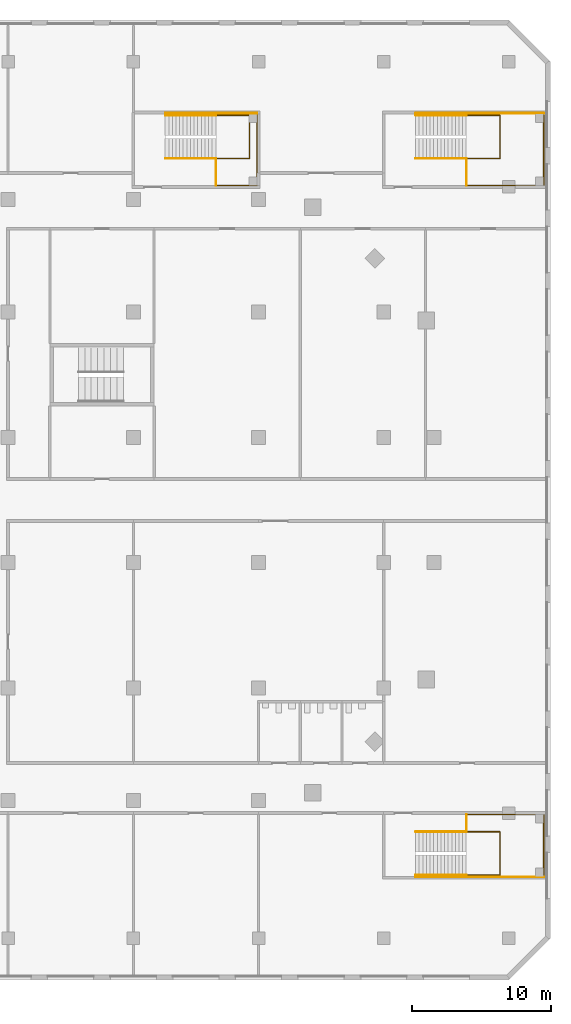
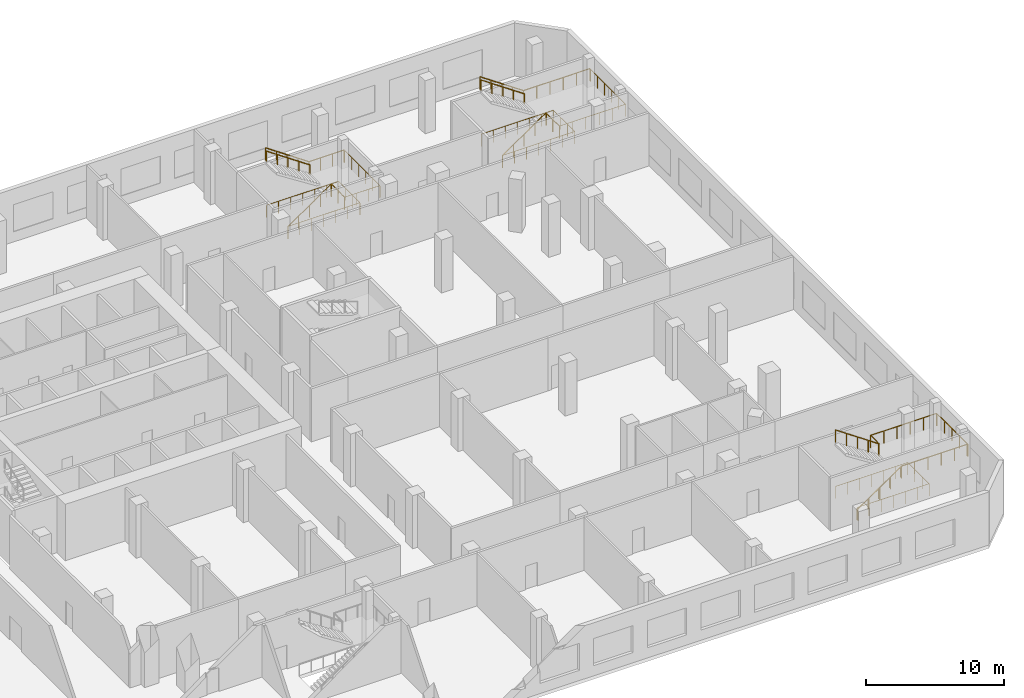
# One storey, part 20 of 21: 18 railings.
"""IFC4 building model written with IfcOpenShell, lengths in metres."""

from ifc_helpers import new_model, si_unit, direction, frame, origin, origin_2d, place, context, subcontext, project, spatial, circle, extrude, material, type_object, element, save


model = new_model("IFC4")

# Units and contexts
model_context = context("Model", 3, precision=1e-05, world=origin(), true_north=direction((0.0, 1.0)))
body_context = subcontext(model_context, "Body", "Model", "MODEL_VIEW")
ifc_project = project(units=[si_unit("LENGTHUNIT", "METRE"), si_unit("AREAUNIT", "SQUARE_METRE"), si_unit("VOLUMEUNIT", "CUBIC_METRE"), si_unit("PLANEANGLEUNIT", "RADIAN"), si_unit("MASSUNIT", "GRAM", prefix="KILO")], contexts=[model_context])

# Site, building, storey
site_placement = place(None, origin())
site = spatial("IfcSite", under=ifc_project, at=site_placement, CompositionType="ELEMENT")
building_placement = place(site_placement, origin())
building = spatial("IfcBuilding", under=site, at=building_placement, Name="Cinnabar Reach Civic Tower", CompositionType="ELEMENT")
storey_placement = place(building_placement, frame((0.0, 0.0, 16.0)))
storey = spatial("IfcBuildingStorey", under=building, at=storey_placement, Name="L03", CompositionType="ELEMENT", Elevation=16.0)

# Railings
ifc_material_1 = material(Name="Stainless steel and glass", Category="steel")
railing_type_1 = type_object("IfcRailingType", Name="Podium guard 1100", PredefinedType="GUARDRAIL", material=ifc_material_1)
railing_1_placement = place(storey_placement, frame((59.94, -1.35, 2.5)))
element("IfcRailing", 1, at=railing_1_placement, inside=storey, type_object=railing_type_1, Name="Stair guard PS4 L03", PredefinedType="GUARDRAIL", context=body_context, shape_type="SweptSolid", body=[
    extrude(circle(Radius=0.024, at=origin_2d()), frame((0.0, 0.0, 1.076), z_axis=(-0.824306135323, 0.0, 0.566144323711), x_axis=(0.0, -1.0, 0.0)), (0.0, 0.0, 1.0), 4.4158),
    extrude(circle(Radius=0.021, at=origin_2d()), origin(), (0.0, 0.0, 1.0), 1.052),
    extrude(circle(Radius=0.021, at=origin_2d()), frame((-0.91, 0.0, 0.625)), (0.0, 0.0, 1.0), 1.052),
    extrude(circle(Radius=0.021, at=origin_2d()), frame((-1.82, 0.0, 1.25)), (0.0, 0.0, 1.0), 1.052),
    extrude(circle(Radius=0.021, at=origin_2d()), frame((-2.73, 0.0, 1.875)), (0.0, 0.0, 1.0), 1.052),
    extrude(circle(Radius=0.021, at=origin_2d()), frame((-3.64, 0.0, 2.5)), (0.0, 0.0, 1.0), 1.052),
])
railing_2_placement = place(storey_placement, frame((59.94, -0.1, 2.5)))
element("IfcRailing", 2, at=railing_2_placement, inside=storey, type_object=railing_type_1, Name="Landing guard PS4 L03", PredefinedType="GUARDRAIL", context=body_context, shape_type="SweptSolid", body=[
    extrude(circle(Radius=0.024, at=origin_2d()), frame((0.0, 0.0, 1.076), z_axis=(1.0, 0.0, 0.0), x_axis=(0.0, 1.0, 0.0)), (0.0, 0.0, 1.0), 5.56),
    extrude(circle(Radius=0.024, at=origin_2d()), frame((5.56, 0.0, 1.076), z_axis=(0.0, -1.0, 0.0), x_axis=(1.0, 0.0, 0.0)), (0.0, 0.0, 1.0), 4.4),
    extrude(circle(Radius=0.021, at=origin_2d()), origin(), (0.0, 0.0, 1.0), 1.052),
    extrude(circle(Radius=0.021, at=origin_2d()), frame((1.112, 0.0, 0.0)), (0.0, 0.0, 1.0), 1.052),
    extrude(circle(Radius=0.021, at=origin_2d()), frame((2.224, 0.0, 0.0)), (0.0, 0.0, 1.0), 1.052),
    extrude(circle(Radius=0.021, at=origin_2d()), frame((3.336, 0.0, 0.0)), (0.0, 0.0, 1.0), 1.052),
    extrude(circle(Radius=0.021, at=origin_2d()), frame((4.448, 0.0, 0.0)), (0.0, 0.0, 1.0), 1.052),
    extrude(circle(Radius=0.021, at=origin_2d()), frame((5.56, 0.0, 0.0)), (0.0, 0.0, 1.0), 1.052),
    extrude(circle(Radius=0.021, at=origin_2d()), frame((5.56, -1.1, 0.0)), (0.0, 0.0, 1.0), 1.052),
    extrude(circle(Radius=0.021, at=origin_2d()), frame((5.56, -2.2, 0.0)), (0.0, 0.0, 1.0), 1.052),
    extrude(circle(Radius=0.021, at=origin_2d()), frame((5.56, -3.3, 0.0)), (0.0, 0.0, 1.0), 1.052),
    extrude(circle(Radius=0.021, at=origin_2d()), frame((5.56, -4.4, 0.0)), (0.0, 0.0, 1.0), 1.052),
])
railing_3_placement = place(storey_placement, frame((59.94, -1.3, 2.5)))
element("IfcRailing", 3, at=railing_3_placement, inside=storey, type_object=railing_type_1, Name="Landing guard PS4 L03 inner", PredefinedType="GUARDRAIL", context=body_context, shape_type="SweptSolid", body=[
    extrude(circle(Radius=0.024, at=origin_2d()), frame((0.0, 0.0, 1.076), z_axis=(0.0, 1.0, 0.0), x_axis=(-1.0, 0.0, 0.0)), (0.0, 0.0, 1.0), 1.2),
    extrude(circle(Radius=0.021, at=origin_2d()), origin(), (0.0, 0.0, 1.0), 1.052),
    extrude(circle(Radius=0.021, at=origin_2d()), frame((0.0, 1.2, 0.0)), (0.0, 0.0, 1.0), 1.052),
])
railing_4_placement = place(storey_placement, frame((56.3, -4.6, 0.0)))
element("IfcRailing", 4, at=railing_4_placement, inside=storey, type_object=railing_type_1, Name="Stair wall side guard PS4 L03", PredefinedType="GUARDRAIL", context=body_context, shape_type="SweptSolid", body=[
    extrude(circle(Radius=0.024, at=origin_2d()), frame((0.0, 0.0, 1.076), z_axis=(0.824306135323, 0.0, 0.566144323711), x_axis=(0.0, 1.0, 0.0)), (0.0, 0.0, 1.0), 4.4158),
    extrude(circle(Radius=0.024, at=origin_2d()), frame((3.64, 0.0, 3.576), z_axis=(1.0, 0.0, 0.0), x_axis=(0.0, 1.0, 0.0)), (0.0, 0.0, 1.0), 5.56),
    extrude(circle(Radius=0.021, at=origin_2d()), origin(), (0.0, 0.0, 1.0), 1.052),
    extrude(circle(Radius=0.021, at=origin_2d()), frame((0.91, 0.0, 0.625)), (0.0, 0.0, 1.0), 1.052),
    extrude(circle(Radius=0.021, at=origin_2d()), frame((1.82, 0.0, 1.25)), (0.0, 0.0, 1.0), 1.052),
    extrude(circle(Radius=0.021, at=origin_2d()), frame((2.73, 0.0, 1.875)), (0.0, 0.0, 1.0), 1.052),
    extrude(circle(Radius=0.021, at=origin_2d()), frame((3.64, 0.0, 2.5)), (0.0, 0.0, 1.0), 1.052),
    extrude(circle(Radius=0.021, at=origin_2d()), frame((4.752, 0.0, 2.5)), (0.0, 0.0, 1.0), 1.052),
    extrude(circle(Radius=0.021, at=origin_2d()), frame((5.864, 0.0, 2.5)), (0.0, 0.0, 1.0), 1.052),
    extrude(circle(Radius=0.021, at=origin_2d()), frame((6.976, 0.0, 2.5)), (0.0, 0.0, 1.0), 1.052),
    extrude(circle(Radius=0.021, at=origin_2d()), frame((8.088, 0.0, 2.5)), (0.0, 0.0, 1.0), 1.052),
    extrude(circle(Radius=0.021, at=origin_2d()), frame((9.2, 0.0, 2.5)), (0.0, 0.0, 1.0), 1.052),
])
railing_5_placement = place(storey_placement, frame((56.3, -4.45, 0.0)))
element("IfcRailing", 5, at=railing_5_placement, inside=storey, type_object=railing_type_1, Name="Stair well guard PS4 L03", PredefinedType="GUARDRAIL", context=body_context, shape_type="SweptSolid", body=[
    extrude(circle(Radius=0.024, at=origin_2d()), frame((0.0, 0.0, 1.076), z_axis=(1.0, 0.0, 0.0), x_axis=(0.0, 1.0, 0.0)), (0.0, 0.0, 1.0), 6.05),
    extrude(circle(Radius=0.024, at=origin_2d()), frame((6.05, 0.0, 1.076), z_axis=(0.0, 1.0, 0.0), x_axis=(-1.0, 0.0, 0.0)), (0.0, 0.0, 1.0), 3.1),
    extrude(circle(Radius=0.024, at=origin_2d()), frame((6.05, 3.1, 1.076), z_axis=(-1.0, 0.0, 0.0), x_axis=(0.0, -1.0, 0.0)), (0.0, 0.0, 1.0), 6.05),
    extrude(circle(Radius=0.021, at=origin_2d()), origin(), (0.0, 0.0, 1.0), 1.052),
    extrude(circle(Radius=0.021, at=origin_2d()), frame((1.0083, 0.0, 0.0)), (0.0, 0.0, 1.0), 1.052),
    extrude(circle(Radius=0.021, at=origin_2d()), frame((2.0167, 0.0, 0.0)), (0.0, 0.0, 1.0), 1.052),
    extrude(circle(Radius=0.021, at=origin_2d()), frame((3.025, 0.0, 0.0)), (0.0, 0.0, 1.0), 1.052),
    extrude(circle(Radius=0.021, at=origin_2d()), frame((4.0333, 0.0, 0.0)), (0.0, 0.0, 1.0), 1.052),
    extrude(circle(Radius=0.021, at=origin_2d()), frame((5.0417, 0.0, 0.0)), (0.0, 0.0, 1.0), 1.052),
    extrude(circle(Radius=0.021, at=origin_2d()), frame((6.05, 0.0, 0.0)), (0.0, 0.0, 1.0), 1.052),
    extrude(circle(Radius=0.021, at=origin_2d()), frame((6.05, 1.0333, 0.0)), (0.0, 0.0, 1.0), 1.052),
    extrude(circle(Radius=0.021, at=origin_2d()), frame((6.05, 2.0667, 0.0)), (0.0, 0.0, 1.0), 1.052),
    extrude(circle(Radius=0.021, at=origin_2d()), frame((6.05, 3.1, 0.0)), (0.0, 0.0, 1.0), 1.052),
    extrude(circle(Radius=0.021, at=origin_2d()), frame((5.0417, 3.1, 0.0)), (0.0, 0.0, 1.0), 1.052),
    extrude(circle(Radius=0.021, at=origin_2d()), frame((4.0333, 3.1, 0.0)), (0.0, 0.0, 1.0), 1.052),
    extrude(circle(Radius=0.021, at=origin_2d()), frame((3.025, 3.1, 0.0)), (0.0, 0.0, 1.0), 1.052),
    extrude(circle(Radius=0.021, at=origin_2d()), frame((2.0167, 3.1, 0.0)), (0.0, 0.0, 1.0), 1.052),
    extrude(circle(Radius=0.021, at=origin_2d()), frame((1.0083, 3.1, 0.0)), (0.0, 0.0, 1.0), 1.052),
    extrude(circle(Radius=0.021, at=origin_2d()), frame((0.0, 3.1, 0.0)), (0.0, 0.0, 1.0), 1.052),
])
railing_6_placement = place(storey_placement, frame((56.3, 47.05, 0.0)))
element("IfcRailing", 6, at=railing_6_placement, inside=storey, type_object=railing_type_1, Name="Stair guard PS5 L03", PredefinedType="GUARDRAIL", context=body_context, shape_type="SweptSolid", body=[
    extrude(circle(Radius=0.024, at=origin_2d()), frame((0.0, 0.0, 1.076), z_axis=(0.824306135323, 0.0, 0.566144323711), x_axis=(0.0, 1.0, 0.0)), (0.0, 0.0, 1.0), 4.4158),
    extrude(circle(Radius=0.021, at=origin_2d()), origin(), (0.0, 0.0, 1.0), 1.052),
    extrude(circle(Radius=0.021, at=origin_2d()), frame((0.91, 0.0, 0.625)), (0.0, 0.0, 1.0), 1.052),
    extrude(circle(Radius=0.021, at=origin_2d()), frame((1.82, 0.0, 1.25)), (0.0, 0.0, 1.0), 1.052),
    extrude(circle(Radius=0.021, at=origin_2d()), frame((2.73, 0.0, 1.875)), (0.0, 0.0, 1.0), 1.052),
    extrude(circle(Radius=0.021, at=origin_2d()), frame((3.64, 0.0, 2.5)), (0.0, 0.0, 1.0), 1.052),
])
railing_7_placement = place(storey_placement, frame((59.94, 45.1, 2.5)))
element("IfcRailing", 7, at=railing_7_placement, inside=storey, type_object=railing_type_1, Name="Landing guard PS5 L03", PredefinedType="GUARDRAIL", context=body_context, shape_type="SweptSolid", body=[
    extrude(circle(Radius=0.024, at=origin_2d()), frame((0.0, 0.0, 1.076), z_axis=(1.0, 0.0, 0.0), x_axis=(0.0, 1.0, 0.0)), (0.0, 0.0, 1.0), 5.56),
    extrude(circle(Radius=0.024, at=origin_2d()), frame((5.56, 0.0, 1.076), z_axis=(0.0, 1.0, 0.0), x_axis=(-1.0, 0.0, 0.0)), (0.0, 0.0, 1.0), 5.1),
    extrude(circle(Radius=0.021, at=origin_2d()), origin(), (0.0, 0.0, 1.0), 1.052),
    extrude(circle(Radius=0.021, at=origin_2d()), frame((1.112, 0.0, 0.0)), (0.0, 0.0, 1.0), 1.052),
    extrude(circle(Radius=0.021, at=origin_2d()), frame((2.224, 0.0, 0.0)), (0.0, 0.0, 1.0), 1.052),
    extrude(circle(Radius=0.021, at=origin_2d()), frame((3.336, 0.0, 0.0)), (0.0, 0.0, 1.0), 1.052),
    extrude(circle(Radius=0.021, at=origin_2d()), frame((4.448, 0.0, 0.0)), (0.0, 0.0, 1.0), 1.052),
    extrude(circle(Radius=0.021, at=origin_2d()), frame((5.56, 0.0, 0.0)), (0.0, 0.0, 1.0), 1.052),
    extrude(circle(Radius=0.021, at=origin_2d()), frame((5.56, 1.02, 0.0)), (0.0, 0.0, 1.0), 1.052),
    extrude(circle(Radius=0.021, at=origin_2d()), frame((5.56, 2.04, 0.0)), (0.0, 0.0, 1.0), 1.052),
    extrude(circle(Radius=0.021, at=origin_2d()), frame((5.56, 3.06, 0.0)), (0.0, 0.0, 1.0), 1.052),
    extrude(circle(Radius=0.021, at=origin_2d()), frame((5.56, 4.08, 0.0)), (0.0, 0.0, 1.0), 1.052),
    extrude(circle(Radius=0.021, at=origin_2d()), frame((5.56, 5.1, 0.0)), (0.0, 0.0, 1.0), 1.052),
])
railing_8_placement = place(storey_placement, frame((59.94, 45.1, 2.5)))
element("IfcRailing", 8, at=railing_8_placement, inside=storey, type_object=railing_type_1, Name="Landing guard PS5 L03 inner", PredefinedType="GUARDRAIL", context=body_context, shape_type="SweptSolid", body=[
    extrude(circle(Radius=0.024, at=origin_2d()), frame((0.0, 0.0, 1.076), z_axis=(0.0, 1.0, 0.0), x_axis=(-1.0, 0.0, 0.0)), (0.0, 0.0, 1.0), 1.9),
    extrude(circle(Radius=0.021, at=origin_2d()), origin(), (0.0, 0.0, 1.0), 1.052),
    extrude(circle(Radius=0.021, at=origin_2d()), frame((0.0, 0.95, 0.0)), (0.0, 0.0, 1.0), 1.052),
    extrude(circle(Radius=0.021, at=origin_2d()), frame((0.0, 1.9, 0.0)), (0.0, 0.0, 1.0), 1.052),
])
railing_9_placement = place(storey_placement, frame((65.5, 50.3, 2.5)))
element("IfcRailing", 9, at=railing_9_placement, inside=storey, type_object=railing_type_1, Name="Stair wall side guard PS5 L03", PredefinedType="GUARDRAIL", context=body_context, shape_type="SweptSolid", body=[
    extrude(circle(Radius=0.024, at=origin_2d()), frame((0.0, 0.0, 1.076), z_axis=(-1.0, 0.0, 0.0), x_axis=(0.0, -1.0, 0.0)), (0.0, 0.0, 1.0), 5.56),
    extrude(circle(Radius=0.024, at=origin_2d()), frame((-5.56, 0.0, 1.076), z_axis=(-0.824306135323, 0.0, 0.566144323711), x_axis=(0.0, -1.0, 0.0)), (0.0, 0.0, 1.0), 4.4158),
    extrude(circle(Radius=0.021, at=origin_2d()), origin(), (0.0, 0.0, 1.0), 1.052),
    extrude(circle(Radius=0.021, at=origin_2d()), frame((-1.112, 0.0, 0.0)), (0.0, 0.0, 1.0), 1.052),
    extrude(circle(Radius=0.021, at=origin_2d()), frame((-2.224, 0.0, 0.0)), (0.0, 0.0, 1.0), 1.052),
    extrude(circle(Radius=0.021, at=origin_2d()), frame((-3.336, 0.0, 0.0)), (0.0, 0.0, 1.0), 1.052),
    extrude(circle(Radius=0.021, at=origin_2d()), frame((-4.448, 0.0, 0.0)), (0.0, 0.0, 1.0), 1.052),
    extrude(circle(Radius=0.021, at=origin_2d()), frame((-5.56, 0.0, 0.0)), (0.0, 0.0, 1.0), 1.052),
    extrude(circle(Radius=0.021, at=origin_2d()), frame((-6.47, 0.0, 0.625)), (0.0, 0.0, 1.0), 1.052),
    extrude(circle(Radius=0.021, at=origin_2d()), frame((-7.38, 0.0, 1.25)), (0.0, 0.0, 1.0), 1.052),
    extrude(circle(Radius=0.021, at=origin_2d()), frame((-8.29, 0.0, 1.875)), (0.0, 0.0, 1.0), 1.052),
    extrude(circle(Radius=0.021, at=origin_2d()), frame((-9.2, 0.0, 2.5)), (0.0, 0.0, 1.0), 1.052),
])
railing_10_placement = place(storey_placement, frame((56.3, 47.05, 0.0)))
element("IfcRailing", 10, at=railing_10_placement, inside=storey, type_object=railing_type_1, Name="Stair well guard PS5 L03", PredefinedType="GUARDRAIL", context=body_context, shape_type="SweptSolid", body=[
    extrude(circle(Radius=0.024, at=origin_2d()), frame((0.0, 0.0, 1.076), z_axis=(1.0, 0.0, 0.0), x_axis=(0.0, 1.0, 0.0)), (0.0, 0.0, 1.0), 6.05),
    extrude(circle(Radius=0.024, at=origin_2d()), frame((6.05, 0.0, 1.076), z_axis=(0.0, 1.0, 0.0), x_axis=(-1.0, 0.0, 0.0)), (0.0, 0.0, 1.0), 3.1),
    extrude(circle(Radius=0.024, at=origin_2d()), frame((6.05, 3.1, 1.076), z_axis=(-1.0, 0.0, 0.0), x_axis=(0.0, -1.0, 0.0)), (0.0, 0.0, 1.0), 6.05),
    extrude(circle(Radius=0.021, at=origin_2d()), origin(), (0.0, 0.0, 1.0), 1.052),
    extrude(circle(Radius=0.021, at=origin_2d()), frame((1.0083, 0.0, 0.0)), (0.0, 0.0, 1.0), 1.052),
    extrude(circle(Radius=0.021, at=origin_2d()), frame((2.0167, 0.0, 0.0)), (0.0, 0.0, 1.0), 1.052),
    extrude(circle(Radius=0.021, at=origin_2d()), frame((3.025, 0.0, 0.0)), (0.0, 0.0, 1.0), 1.052),
    extrude(circle(Radius=0.021, at=origin_2d()), frame((4.0333, 0.0, 0.0)), (0.0, 0.0, 1.0), 1.052),
    extrude(circle(Radius=0.021, at=origin_2d()), frame((5.0417, 0.0, 0.0)), (0.0, 0.0, 1.0), 1.052),
    extrude(circle(Radius=0.021, at=origin_2d()), frame((6.05, 0.0, 0.0)), (0.0, 0.0, 1.0), 1.052),
    extrude(circle(Radius=0.021, at=origin_2d()), frame((6.05, 1.0333, 0.0)), (0.0, 0.0, 1.0), 1.052),
    extrude(circle(Radius=0.021, at=origin_2d()), frame((6.05, 2.0667, 0.0)), (0.0, 0.0, 1.0), 1.052),
    extrude(circle(Radius=0.021, at=origin_2d()), frame((6.05, 3.1, 0.0)), (0.0, 0.0, 1.0), 1.052),
    extrude(circle(Radius=0.021, at=origin_2d()), frame((5.0417, 3.1, 0.0)), (0.0, 0.0, 1.0), 1.052),
    extrude(circle(Radius=0.021, at=origin_2d()), frame((4.0333, 3.1, 0.0)), (0.0, 0.0, 1.0), 1.052),
    extrude(circle(Radius=0.021, at=origin_2d()), frame((3.025, 3.1, 0.0)), (0.0, 0.0, 1.0), 1.052),
    extrude(circle(Radius=0.021, at=origin_2d()), frame((2.0167, 3.1, 0.0)), (0.0, 0.0, 1.0), 1.052),
    extrude(circle(Radius=0.021, at=origin_2d()), frame((1.0083, 3.1, 0.0)), (0.0, 0.0, 1.0), 1.052),
    extrude(circle(Radius=0.021, at=origin_2d()), frame((0.0, 3.1, 0.0)), (0.0, 0.0, 1.0), 1.052),
])
railing_11_placement = place(storey_placement, frame((38.3, 47.05, 0.0)))
element("IfcRailing", 11, at=railing_11_placement, inside=storey, type_object=railing_type_1, Name="Stair guard PS6 L03", PredefinedType="GUARDRAIL", context=body_context, shape_type="SweptSolid", body=[
    extrude(circle(Radius=0.024, at=origin_2d()), frame((0.0, 0.0, 1.076), z_axis=(0.824306135323, 0.0, 0.566144323711), x_axis=(0.0, 1.0, 0.0)), (0.0, 0.0, 1.0), 4.4158),
    extrude(circle(Radius=0.021, at=origin_2d()), origin(), (0.0, 0.0, 1.0), 1.052),
    extrude(circle(Radius=0.021, at=origin_2d()), frame((0.91, 0.0, 0.625)), (0.0, 0.0, 1.0), 1.052),
    extrude(circle(Radius=0.021, at=origin_2d()), frame((1.82, 0.0, 1.25)), (0.0, 0.0, 1.0), 1.052),
    extrude(circle(Radius=0.021, at=origin_2d()), frame((2.73, 0.0, 1.875)), (0.0, 0.0, 1.0), 1.052),
    extrude(circle(Radius=0.021, at=origin_2d()), frame((3.64, 0.0, 2.5)), (0.0, 0.0, 1.0), 1.052),
])
railing_12_placement = place(storey_placement, frame((41.94, 45.1, 2.5)))
element("IfcRailing", 12, at=railing_12_placement, inside=storey, type_object=railing_type_1, Name="Landing guard PS6 L03", PredefinedType="GUARDRAIL", context=body_context, shape_type="SweptSolid", body=[
    extrude(circle(Radius=0.024, at=origin_2d()), frame((0.0, 0.0, 1.076), z_axis=(1.0, 0.0, 0.0), x_axis=(0.0, 1.0, 0.0)), (0.0, 0.0, 1.0), 2.96),
    extrude(circle(Radius=0.024, at=origin_2d()), frame((2.96, 0.0, 1.076), z_axis=(0.0, 1.0, 0.0), x_axis=(-1.0, 0.0, 0.0)), (0.0, 0.0, 1.0), 5.1),
    extrude(circle(Radius=0.021, at=origin_2d()), origin(), (0.0, 0.0, 1.0), 1.052),
    extrude(circle(Radius=0.021, at=origin_2d()), frame((0.9867, 0.0, 0.0)), (0.0, 0.0, 1.0), 1.052),
    extrude(circle(Radius=0.021, at=origin_2d()), frame((1.9733, 0.0, 0.0)), (0.0, 0.0, 1.0), 1.052),
    extrude(circle(Radius=0.021, at=origin_2d()), frame((2.96, 0.0, 0.0)), (0.0, 0.0, 1.0), 1.052),
    extrude(circle(Radius=0.021, at=origin_2d()), frame((2.96, 1.02, 0.0)), (0.0, 0.0, 1.0), 1.052),
    extrude(circle(Radius=0.021, at=origin_2d()), frame((2.96, 2.04, 0.0)), (0.0, 0.0, 1.0), 1.052),
    extrude(circle(Radius=0.021, at=origin_2d()), frame((2.96, 3.06, 0.0)), (0.0, 0.0, 1.0), 1.052),
    extrude(circle(Radius=0.021, at=origin_2d()), frame((2.96, 4.08, 0.0)), (0.0, 0.0, 1.0), 1.052),
    extrude(circle(Radius=0.021, at=origin_2d()), frame((2.96, 5.1, 0.0)), (0.0, 0.0, 1.0), 1.052),
])
railing_13_placement = place(storey_placement, frame((41.94, 45.1, 2.5)))
element("IfcRailing", 13, at=railing_13_placement, inside=storey, type_object=railing_type_1, Name="Landing guard PS6 L03 inner", PredefinedType="GUARDRAIL", context=body_context, shape_type="SweptSolid", body=[
    extrude(circle(Radius=0.024, at=origin_2d()), frame((0.0, 0.0, 1.076), z_axis=(0.0, 1.0, 0.0), x_axis=(-1.0, 0.0, 0.0)), (0.0, 0.0, 1.0), 1.9),
    extrude(circle(Radius=0.021, at=origin_2d()), origin(), (0.0, 0.0, 1.0), 1.052),
    extrude(circle(Radius=0.021, at=origin_2d()), frame((0.0, 0.95, 0.0)), (0.0, 0.0, 1.0), 1.052),
    extrude(circle(Radius=0.021, at=origin_2d()), frame((0.0, 1.9, 0.0)), (0.0, 0.0, 1.0), 1.052),
])
railing_14_placement = place(storey_placement, frame((44.9, 50.3, 2.5)))
element("IfcRailing", 14, at=railing_14_placement, inside=storey, type_object=railing_type_1, Name="Stair wall side guard PS6 L03", PredefinedType="GUARDRAIL", context=body_context, shape_type="SweptSolid", body=[
    extrude(circle(Radius=0.024, at=origin_2d()), frame((0.0, 0.0, 1.076), z_axis=(-1.0, 0.0, 0.0), x_axis=(0.0, -1.0, 0.0)), (0.0, 0.0, 1.0), 2.96),
    extrude(circle(Radius=0.024, at=origin_2d()), frame((-2.96, 0.0, 1.076), z_axis=(-0.824306135323, 0.0, 0.566144323711), x_axis=(0.0, -1.0, 0.0)), (0.0, 0.0, 1.0), 4.4158),
    extrude(circle(Radius=0.021, at=origin_2d()), origin(), (0.0, 0.0, 1.0), 1.052),
    extrude(circle(Radius=0.021, at=origin_2d()), frame((-0.9867, 0.0, 0.0)), (0.0, 0.0, 1.0), 1.052),
    extrude(circle(Radius=0.021, at=origin_2d()), frame((-1.9733, 0.0, 0.0)), (0.0, 0.0, 1.0), 1.052),
    extrude(circle(Radius=0.021, at=origin_2d()), frame((-2.96, 0.0, 0.0)), (0.0, 0.0, 1.0), 1.052),
    extrude(circle(Radius=0.021, at=origin_2d()), frame((-3.87, 0.0, 0.625)), (0.0, 0.0, 1.0), 1.052),
    extrude(circle(Radius=0.021, at=origin_2d()), frame((-4.78, 0.0, 1.25)), (0.0, 0.0, 1.0), 1.052),
    extrude(circle(Radius=0.021, at=origin_2d()), frame((-5.69, 0.0, 1.875)), (0.0, 0.0, 1.0), 1.052),
    extrude(circle(Radius=0.021, at=origin_2d()), frame((-6.6, 0.0, 2.5)), (0.0, 0.0, 1.0), 1.052),
])
railing_15_placement = place(storey_placement, frame((38.3, 47.05, 0.0)))
element("IfcRailing", 15, at=railing_15_placement, inside=storey, type_object=railing_type_1, Name="Stair well guard PS6 L03", PredefinedType="GUARDRAIL", context=body_context, shape_type="SweptSolid", body=[
    extrude(circle(Radius=0.024, at=origin_2d()), frame((0.0, 0.0, 1.076), z_axis=(1.0, 0.0, 0.0), x_axis=(0.0, 1.0, 0.0)), (0.0, 0.0, 1.0), 6.05),
    extrude(circle(Radius=0.024, at=origin_2d()), frame((6.05, 0.0, 1.076), z_axis=(0.0, 1.0, 0.0), x_axis=(-1.0, 0.0, 0.0)), (0.0, 0.0, 1.0), 3.1),
    extrude(circle(Radius=0.024, at=origin_2d()), frame((6.05, 3.1, 1.076), z_axis=(-1.0, 0.0, 0.0), x_axis=(0.0, -1.0, 0.0)), (0.0, 0.0, 1.0), 6.05),
    extrude(circle(Radius=0.021, at=origin_2d()), origin(), (0.0, 0.0, 1.0), 1.052),
    extrude(circle(Radius=0.021, at=origin_2d()), frame((1.0083, 0.0, 0.0)), (0.0, 0.0, 1.0), 1.052),
    extrude(circle(Radius=0.021, at=origin_2d()), frame((2.0167, 0.0, 0.0)), (0.0, 0.0, 1.0), 1.052),
    extrude(circle(Radius=0.021, at=origin_2d()), frame((3.025, 0.0, 0.0)), (0.0, 0.0, 1.0), 1.052),
    extrude(circle(Radius=0.021, at=origin_2d()), frame((4.0333, 0.0, 0.0)), (0.0, 0.0, 1.0), 1.052),
    extrude(circle(Radius=0.021, at=origin_2d()), frame((5.0417, 0.0, 0.0)), (0.0, 0.0, 1.0), 1.052),
    extrude(circle(Radius=0.021, at=origin_2d()), frame((6.05, 0.0, 0.0)), (0.0, 0.0, 1.0), 1.052),
    extrude(circle(Radius=0.021, at=origin_2d()), frame((6.05, 1.0333, 0.0)), (0.0, 0.0, 1.0), 1.052),
    extrude(circle(Radius=0.021, at=origin_2d()), frame((6.05, 2.0667, 0.0)), (0.0, 0.0, 1.0), 1.052),
    extrude(circle(Radius=0.021, at=origin_2d()), frame((6.05, 3.1, 0.0)), (0.0, 0.0, 1.0), 1.052),
    extrude(circle(Radius=0.021, at=origin_2d()), frame((5.0417, 3.1, 0.0)), (0.0, 0.0, 1.0), 1.052),
    extrude(circle(Radius=0.021, at=origin_2d()), frame((4.0333, 3.1, 0.0)), (0.0, 0.0, 1.0), 1.052),
    extrude(circle(Radius=0.021, at=origin_2d()), frame((3.025, 3.1, 0.0)), (0.0, 0.0, 1.0), 1.052),
    extrude(circle(Radius=0.021, at=origin_2d()), frame((2.0167, 3.1, 0.0)), (0.0, 0.0, 1.0), 1.052),
    extrude(circle(Radius=0.021, at=origin_2d()), frame((1.0083, 3.1, 0.0)), (0.0, 0.0, 1.0), 1.052),
    extrude(circle(Radius=0.021, at=origin_2d()), frame((0.0, 3.1, 0.0)), (0.0, 0.0, 1.0), 1.052),
])
ifc_material_2 = material(Name="Stainless steel", Category="steel")
railing_type_2 = type_object("IfcRailingType", Name="Podium stair handrail 900", PredefinedType="HANDRAIL", material=ifc_material_2)
railing_16_placement = place(storey_placement, frame((56.3, -4.45, 0.0)))
element("IfcRailing", 16, at=railing_16_placement, inside=storey, type_object=railing_type_2, Name="Stair handrail PS4 L03", PredefinedType="HANDRAIL", context=body_context, shape_type="SweptSolid", body=[
    extrude(circle(Radius=0.024, at=origin_2d()), frame((0.0, 0.0, 0.876), z_axis=(0.824306135323, 0.0, 0.566144323711), x_axis=(0.0, 1.0, 0.0)), (0.0, 0.0, 1.0), 4.4158),
    extrude(circle(Radius=0.021, at=origin_2d()), origin(), (0.0, 0.0, 1.0), 0.852),
    extrude(circle(Radius=0.021, at=origin_2d()), frame((0.91, 0.0, 0.625)), (0.0, 0.0, 1.0), 0.852),
    extrude(circle(Radius=0.021, at=origin_2d()), frame((1.82, 0.0, 1.25)), (0.0, 0.0, 1.0), 0.852),
    extrude(circle(Radius=0.021, at=origin_2d()), frame((2.73, 0.0, 1.875)), (0.0, 0.0, 1.0), 0.852),
    extrude(circle(Radius=0.021, at=origin_2d()), frame((3.64, 0.0, 2.5)), (0.0, 0.0, 1.0), 0.852),
])
for number, where, name in (
    (17, (59.94, 50.15, 2.5), "Stair handrail PS5 L03"),
    (18, (41.94, 50.15, 2.5), "Stair handrail PS6 L03"),
):
    element("IfcRailing", number, at=place(storey_placement, frame(where)), inside=storey, type_object=railing_type_2, Name=name, PredefinedType="HANDRAIL", context=body_context, shape_type="SweptSolid", body=[
        extrude(circle(Radius=0.024, at=origin_2d()), frame((0.0, 0.0, 0.876), z_axis=(-0.824306135323, 0.0, 0.566144323711), x_axis=(0.0, -1.0, 0.0)), (0.0, 0.0, 1.0), 4.4158),
        extrude(circle(Radius=0.021, at=origin_2d()), origin(), (0.0, 0.0, 1.0), 0.852),
        extrude(circle(Radius=0.021, at=origin_2d()), frame((-0.91, 0.0, 0.625)), (0.0, 0.0, 1.0), 0.852),
        extrude(circle(Radius=0.021, at=origin_2d()), frame((-1.82, 0.0, 1.25)), (0.0, 0.0, 1.0), 0.852),
        extrude(circle(Radius=0.021, at=origin_2d()), frame((-2.73, 0.0, 1.875)), (0.0, 0.0, 1.0), 0.852),
        extrude(circle(Radius=0.021, at=origin_2d()), frame((-3.64, 0.0, 2.5)), (0.0, 0.0, 1.0), 0.852),
    ])

save(model, "model.ifc")
